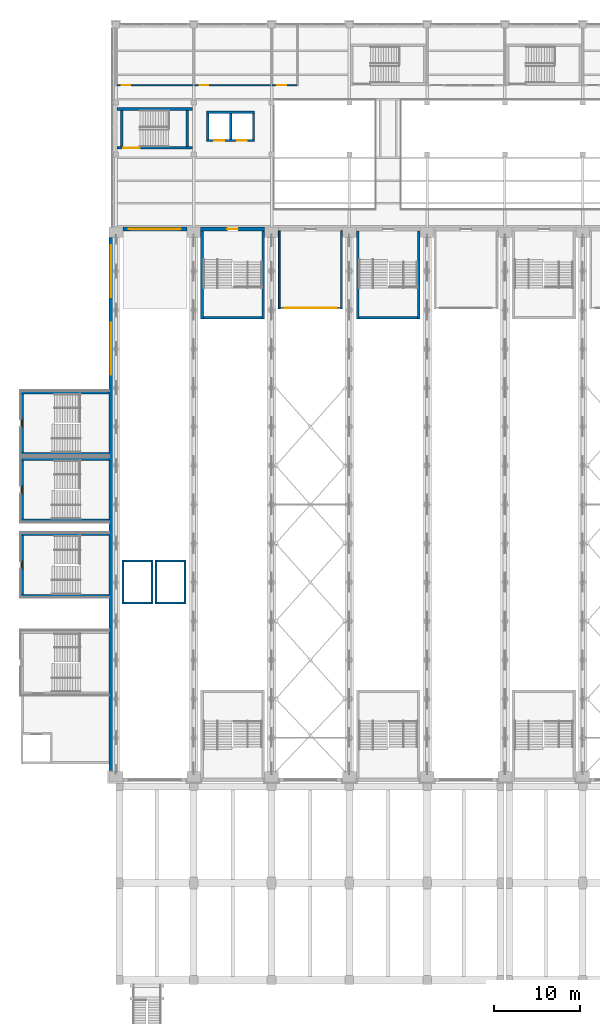
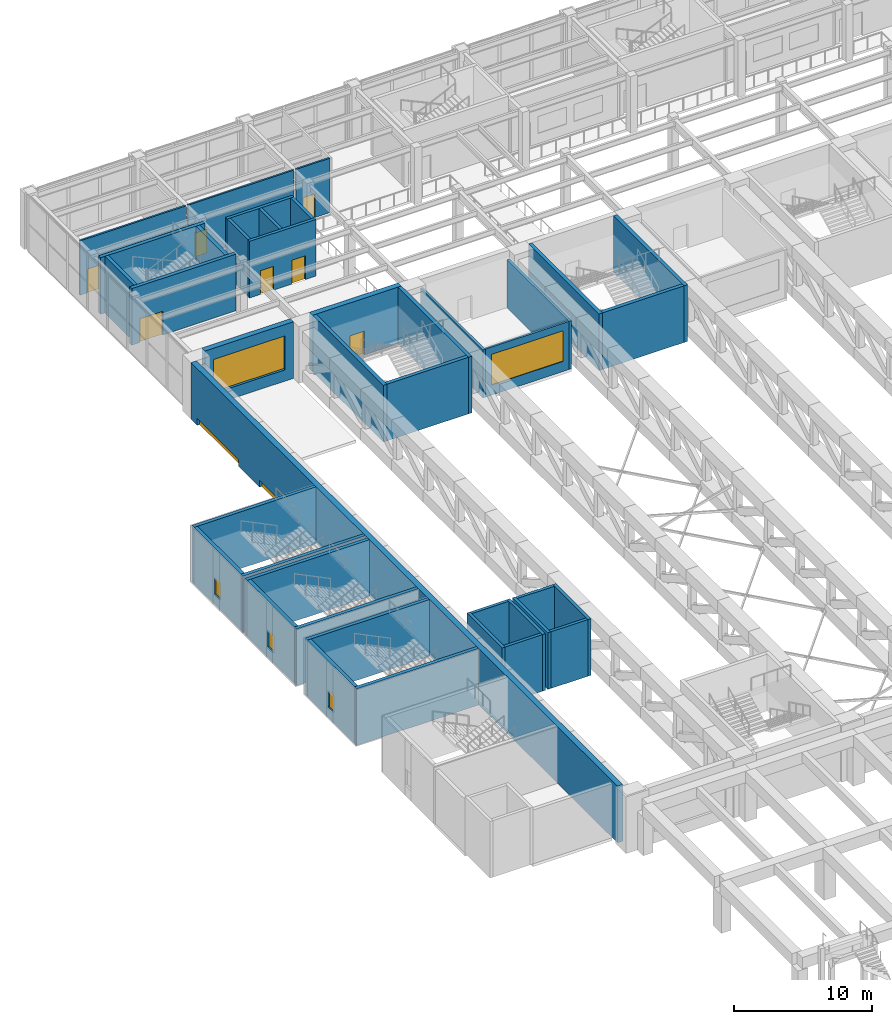
# One storey, part 34 of 76: 41 walls, 7 doors, 7 windows, 14 openings.
"""IFC4 building model written with IfcOpenShell, lengths in metres."""

from ifc_helpers import new_model, si_unit, direction, frame, frame_2d, origin, place, context, subcontext, project, spatial, rectangle, extrude, material, layer, layer_set, type_object, element, fill, save


model = new_model("IFC4")

# Units and contexts
model_context = context("Model", 3, precision=1e-05, world=origin(), true_north=direction((0.0, 1.0)))
body_context = subcontext(model_context, "Body", "Model", "MODEL_VIEW")
ifc_project = project(units=[si_unit("LENGTHUNIT", "METRE"), si_unit("AREAUNIT", "SQUARE_METRE"), si_unit("VOLUMEUNIT", "CUBIC_METRE"), si_unit("PLANEANGLEUNIT", "RADIAN"), si_unit("MASSUNIT", "GRAM", prefix="KILO")], contexts=[model_context])

# Site, building, storey
site_placement = place(None, origin())
site = spatial("IfcSite", under=ifc_project, at=site_placement, CompositionType="ELEMENT")
building_placement = place(site_placement, origin())
building = spatial("IfcBuilding", under=site, at=building_placement, Name="Aravalli Gate Trade Fair Centre", CompositionType="ELEMENT")
storey_placement = place(building_placement, frame((0.0, 0.0, 10.0)))
storey = spatial("IfcBuildingStorey", under=building, at=storey_placement, Name="L02", CompositionType="ELEMENT", Elevation=10.0)

# Walls
ifc_material_1 = material(Name="Concrete M40", Category="concrete")
ifc_layer_1 = layer(ifc_material_1, 0.25)
ifc_layer_set_1 = layer_set([ifc_layer_1], Name="Concrete M40")
wall_type_1 = type_object("IfcWallType", Name="Freight shaft wall RC 250", PredefinedType="SHEAR", material=ifc_layer_set_1)
for number, where, z_axis, x_axis, name in (
    (1, (6.824951171875, 66.0, 0.0), (0.0, 0.0, 1.0), (0.0, 1.0, 0.0), "Freight lift 1 shaft wall W L02"),
    (2, (10.175048828125, 66.0, 0.0), (0.0, 0.0, 1.0), (0.0, 1.0, 0.0), "Freight lift 1 shaft wall E L02"),
):
    element("IfcWall", number, at=place(storey_placement, frame(where, z_axis=z_axis, x_axis=x_axis)), inside=storey, type_object=wall_type_1, Name=name, PredefinedType="SHEAR", context=body_context, shape_type="SweptSolid", body=[
        extrude(rectangle(XDim=5.10009765625, YDim=0.25, at=frame_2d((2.550048828125, 0.0))), origin(), (0.0, 0.0, 1.0), 5.0),
    ])
for number, where, z_axis, x_axis, name in (
    (3, (6.949951171875, 66.125, 0.0), (0.0, 0.0, 1.0), (1.0, 0.0, 0.0), "Freight lift 1 shaft wall F L02"),
    (4, (6.949951171875, 70.97509765625, 0.0), (0.0, 0.0, 1.0), (1.0, 0.0, 0.0), "Freight lift 1 shaft wall B L02"),
):
    element("IfcWall", number, at=place(storey_placement, frame(where, z_axis=z_axis, x_axis=x_axis)), inside=storey, type_object=wall_type_1, Name=name, PredefinedType="SHEAR", context=body_context, shape_type="SweptSolid", body=[
        extrude(rectangle(XDim=3.10009765625, YDim=0.25, at=frame_2d((1.550048828125, 0.0))), origin(), (0.0, 0.0, 1.0), 5.0),
    ])
for number, where, z_axis, x_axis, name in (
    (5, (10.625, 66.0, 0.0), (0.0, 0.0, 1.0), (0.0, 1.0, 0.0), "Freight lift 2 shaft wall W L02"),
    (6, (13.97509765625, 66.0, 0.0), (0.0, 0.0, 1.0), (0.0, 1.0, 0.0), "Freight lift 2 shaft wall E L02"),
):
    element("IfcWall", number, at=place(storey_placement, frame(where, z_axis=z_axis, x_axis=x_axis)), inside=storey, type_object=wall_type_1, Name=name, PredefinedType="SHEAR", context=body_context, shape_type="SweptSolid", body=[
        extrude(rectangle(XDim=5.10009765625, YDim=0.25, at=frame_2d((2.550048828125, 0.0))), origin(), (0.0, 0.0, 1.0), 5.0),
    ])
for number, where, z_axis, x_axis, name in (
    (7, (10.75, 66.125, 0.0), (0.0, 0.0, 1.0), (1.0, 0.0, 0.0), "Freight lift 2 shaft wall F L02"),
    (8, (10.75, 70.97509765625, 0.0), (0.0, 0.0, 1.0), (1.0, 0.0, 0.0), "Freight lift 2 shaft wall B L02"),
):
    element("IfcWall", number, at=place(storey_placement, frame(where, z_axis=z_axis, x_axis=x_axis)), inside=storey, type_object=wall_type_1, Name=name, PredefinedType="SHEAR", context=body_context, shape_type="SweptSolid", body=[
        extrude(rectangle(XDim=3.10009765625, YDim=0.25, at=frame_2d((1.550048828125, 0.0))), origin(), (0.0, 0.0, 1.0), 5.0),
    ])

# Wall, opening, window
ifc_layer_2 = layer(ifc_material_1, 0.25, Name="Structural wall")
ifc_material_2 = material(Name="Ventilated air cavity")
ifc_layer_3 = layer(ifc_material_2, 0.10009765625, ventilated=True, Name="Ventilated cavity")
ifc_material_3 = material(Name="Terracotta rainscreen", Category="masonry")
ifc_layer_4 = layer(ifc_material_3, 0.10009765625, Name="Rainscreen cladding")
ifc_layer_set_2 = layer_set([ifc_layer_2, ifc_layer_3, ifc_layer_4], Name="Hall external wall 450")
wall_type_2 = type_object("IfcWallType", Name="Hall external wall 450", PredefinedType="SOLIDWALL", material=ifc_layer_set_2)
wall_1_placement = place(storey_placement, frame((6.800048828125, 109.375, 0.0), z_axis=(0.0, 0.0, 1.0), x_axis=(1.0, 0.0, 0.0)))
wall_1 = element("IfcWall", 9, at=wall_1_placement, inside=storey, type_object=wall_type_2, Name="Hall north wall bay 1 L02", PredefinedType="SOLIDWALL", context=body_context, shape_type="SweptSolid", body=[
    extrude(rectangle(XDim=7.39990234375, YDim=0.449951171875, at=frame_2d((3.699951171875, 0.0))), origin(), (0.0, 0.0, 1.0), 5.0),
])
opening_1_placement = place(wall_1_placement, frame((0.699951171875, 0.0, 1.0)))
opening_1 = element("IfcOpeningElement", 10, at=opening_1_placement, cuts=wall_1, Name="Opening LV1", PredefinedType="OPENING", context=body_context, shape_type="SweptSolid", body=[
    extrude(rectangle(XDim=6.0, YDim=3.0, at=frame_2d((3.0, 1.5))), frame((0.0, 0.23486328125, 0.0), z_axis=(0.0, -1.0, 0.0), x_axis=(1.0, 0.0, 0.0)), (0.0, 0.0, 1.0), 0.469970703125),
])
ifc_material_4 = material(Name="Aluminium", Category="aluminium")
window_type_1 = type_object("IfcWindowType", Name="Hall louvre 6000x3000", PartitioningType="SINGLE_PANEL", PredefinedType="USERDEFINED", material=ifc_material_4)
window_1_placement = place(opening_1_placement, origin())
window_1 = element("IfcWindow", 11, at=window_1_placement, inside=storey, type_object=window_type_1, Name="Hall north louvre bay 1 L02", ObjectType="LOUVRE", OverallHeight=3.0, OverallWidth=6.0, PartitioningType="SINGLE_PANEL", PredefinedType="USERDEFINED", context=body_context, shape_type="SweptSolid", body=[
    extrude(rectangle(XDim=6.0, YDim=3.0, at=frame_2d((3.0, 1.5))), frame((0.0, 0.030029296875, 0.0), z_axis=(0.0, -1.0, 0.0), x_axis=(1.0, 0.0, 0.0)), (0.0, 0.0, 1.0), 0.06005859375),
])
fill(opening_1, window_1)

# Wall, opening, door
wall_2_placement = place(storey_placement, frame((15.800048828125, 109.375, 0.0), z_axis=(0.0, 0.0, 1.0), x_axis=(1.0, 0.0, 0.0)))
wall_2 = element("IfcWall", 12, at=wall_2_placement, inside=storey, type_object=wall_type_2, Name="Hall north wall bay 2 L02", PredefinedType="SOLIDWALL", context=body_context, shape_type="SweptSolid", body=[
    extrude(rectangle(XDim=7.39990234375, YDim=0.449951171875, at=frame_2d((3.699951171875, 0.0))), origin(), (0.0, 0.0, 1.0), 5.0),
])
opening_2_placement = place(wall_2_placement, frame((3.10009765625, 0.0, 0.0)))
opening_2 = element("IfcOpeningElement", 13, at=opening_2_placement, cuts=wall_2, Name="Opening H-L02-01", PredefinedType="OPENING", context=body_context, shape_type="SweptSolid", body=[
    extrude(rectangle(XDim=1.199951171875, YDim=2.10009765625, at=frame_2d((0.60009765625, 1.050048828125))), frame((0.0, 0.23486328125, 0.0), z_axis=(0.0, -1.0, 0.0), x_axis=(1.0, 0.0, 0.0)), (0.0, 0.0, 1.0), 0.469970703125),
])
ifc_material_5 = material(Name="Steel", Category="steel")
door_type_1 = type_object("IfcDoorType", Name="Hall stair gallery door FD120", OperationType="SINGLE_SWING_LEFT", PredefinedType="DOOR", material=ifc_material_5)
door_1_placement = place(opening_2_placement, origin())
door_1 = element("IfcDoor", 14, at=door_1_placement, inside=storey, type_object=door_type_1, Name="Stair door ST-N02 L02 gallery", OperationType="SINGLE_SWING_RIGHT", OverallHeight=2.10009765625, OverallWidth=1.199951171875, PredefinedType="DOOR", context=body_context, shape_type="SweptSolid", body=[
    extrude(rectangle(XDim=1.199951171875, YDim=2.10009765625, at=frame_2d((0.60009765625, 1.050048828125))), frame((0.0, 0.02490234375, 0.0), z_axis=(0.0, -1.0, 0.0), x_axis=(1.0, 0.0, 0.0)), (0.0, 0.0, 1.0), 0.050048828125),
])
fill(opening_2, door_1)

# Wall, openings, windows
wall_3_placement = place(storey_placement, frame((5.425048828125, 46.75, 0.0), z_axis=(0.0, 0.0, 1.0), x_axis=(0.0, 1.0, 0.0)))
wall_3 = element("IfcWall", 15, at=wall_3_placement, inside=storey, type_object=wall_type_2, Name="Hall west wall L02", PredefinedType="SOLIDWALL", context=body_context, shape_type="SweptSolid", body=[
    extrude(rectangle(XDim=61.64990234375, YDim=0.449951171875, at=frame_2d((30.824951171875, 0.0))), origin(), (0.0, 0.0, 1.0), 5.0),
])
opening_3_placement = place(wall_3_placement, frame((45.75, 0.0, 0.0)))
opening_3 = element("IfcOpeningElement", 16, at=opening_3_placement, cuts=wall_3, Name="Opening LV4", PredefinedType="OPENING", context=body_context, shape_type="SweptSolid", body=[
    extrude(rectangle(XDim=6.0, YDim=0.60009765625, at=frame_2d((3.0, 0.300048828125))), frame((0.0, 0.23486328125, 0.0), z_axis=(0.0, -1.0, 0.0), x_axis=(1.0, 0.0, 0.0)), (0.0, 0.0, 1.0), 0.469970703125),
])
opening_4_placement = place(wall_3_placement, frame((54.75, 0.0, 0.0)))
opening_4 = element("IfcOpeningElement", 17, at=opening_4_placement, cuts=wall_3, Name="Opening LV4", PredefinedType="OPENING", context=body_context, shape_type="SweptSolid", body=[
    extrude(rectangle(XDim=6.0, YDim=0.60009765625, at=frame_2d((3.0, 0.300048828125))), frame((0.0, 0.23486328125, 0.0), z_axis=(0.0, -1.0, 0.0), x_axis=(1.0, 0.0, 0.0)), (0.0, 0.0, 1.0), 0.469970703125),
])
window_type_2 = type_object("IfcWindowType", Name="Hall louvre 6000x600", PartitioningType="SINGLE_PANEL", PredefinedType="USERDEFINED", material=ifc_material_4)
window_2_placement = place(opening_3_placement, origin())
window_2 = element("IfcWindow", 18, at=window_2_placement, inside=storey, type_object=window_type_2, Name="Hall west louvre 4 L02", ObjectType="LOUVRE", OverallHeight=0.60009765625, OverallWidth=6.0, PartitioningType="SINGLE_PANEL", PredefinedType="USERDEFINED", context=body_context, shape_type="SweptSolid", body=[
    extrude(rectangle(XDim=6.0, YDim=0.60009765625, at=frame_2d((3.0, 0.300048828125))), frame((0.0, 0.030029296875, 0.0), z_axis=(0.0, -1.0, 0.0), x_axis=(1.0, 0.0, 0.0)), (0.0, 0.0, 1.0), 0.06005859375),
])
fill(opening_3, window_2)
window_3_placement = place(opening_4_placement, origin())
window_3 = element("IfcWindow", 19, at=window_3_placement, inside=storey, type_object=window_type_2, Name="Hall west louvre 5 L02", ObjectType="LOUVRE", OverallHeight=0.60009765625, OverallWidth=6.0, PartitioningType="SINGLE_PANEL", PredefinedType="USERDEFINED", context=body_context, shape_type="SweptSolid", body=[
    extrude(rectangle(XDim=6.0, YDim=0.60009765625, at=frame_2d((3.0, 0.300048828125))), frame((0.0, 0.030029296875, 0.0), z_axis=(0.0, -1.0, 0.0), x_axis=(1.0, 0.0, 0.0)), (0.0, 0.0, 1.0), 0.06005859375),
])
fill(opening_4, window_3)

# Wall, opening, window
ifc_material_6 = material(Name="Steel E350 (350 MPa)", Category="steel")
ifc_layer_5 = layer(ifc_material_6, 0.14990234375)
ifc_layer_set_3 = layer_set([ifc_layer_5], Name="Steel E350 (350 MPa)")
wall_type_3 = type_object("IfcWallType", Name="Meeting room glazed front wall 150", PredefinedType="PARTITIONING", material=ifc_layer_set_3)
wall_4_placement = place(storey_placement, frame((25.0, 100.22509765625, 0.0), z_axis=(0.0, 0.0, 1.0), x_axis=(1.0, 0.0, 0.0)))
wall_4 = element("IfcWall", 20, at=wall_4_placement, inside=storey, type_object=wall_type_3, Name="Meeting room 7 front wall", PredefinedType="PARTITIONING", context=body_context, shape_type="SweptSolid", body=[
    extrude(rectangle(XDim=7.0, YDim=0.14990234375, at=frame_2d((3.5, 0.0))), origin(), (0.0, 0.0, 1.0), 4.25),
])
opening_5_placement = place(wall_4_placement, frame((0.5, 0.0, 0.89990234375)))
opening_5 = element("IfcOpeningElement", 21, at=opening_5_placement, cuts=wall_4, Name="Opening WM1", PredefinedType="OPENING", context=body_context, shape_type="SweptSolid", body=[
    extrude(rectangle(XDim=6.0, YDim=2.699951171875, at=frame_2d((3.0, 1.35009765625))), frame((0.0, 0.0849609375, 0.0), z_axis=(0.0, -1.0, 0.0), x_axis=(1.0, 0.0, 0.0)), (0.0, 0.0, 1.0), 0.169921875),
])
ifc_material_7 = material(Name="Glass in steel frame", Category="steel")
window_type_3 = type_object("IfcWindowType", Name="Meeting room window 6000x2700", PartitioningType="TRIPLE_PANEL_VERTICAL", PredefinedType="WINDOW", material=ifc_material_7)
window_4_placement = place(opening_5_placement, origin())
window_4 = element("IfcWindow", 22, at=window_4_placement, inside=storey, type_object=window_type_3, Name="Meeting room 7 window", OverallHeight=2.699951171875, OverallWidth=6.0, PartitioningType="TRIPLE_PANEL_VERTICAL", PredefinedType="WINDOW", context=body_context, shape_type="SweptSolid", body=[
    extrude(rectangle(XDim=6.0, YDim=2.699951171875, at=frame_2d((3.0, 1.35009765625))), frame((0.0, 0.030029296875, 0.0), z_axis=(0.0, -1.0, 0.0), x_axis=(1.0, 0.0, 0.0)), (0.0, 0.0, 1.0), 0.06005859375),
])
fill(opening_5, window_4)

# Walls
ifc_layer_6 = layer(ifc_material_1, 0.199951171875)
ifc_layer_set_4 = layer_set([ifc_layer_6], Name="Concrete M40")
wall_type_4 = type_object("IfcWallType", Name="Meeting room side wall RC 200", PredefinedType="SHEAR", material=ifc_layer_set_4)
for number, where, z_axis, x_axis, name in (
    (23, (24.89990234375, 100.14990234375, 0.0), (0.0, 0.0, 1.0), (0.0, 1.0, 0.0), "Meeting room 7 side wall W"),
    (24, (32.10009765625, 100.14990234375, 0.0), (0.0, 0.0, 1.0), (0.0, 1.0, 0.0), "Meeting room 7 side wall E"),
):
    element("IfcWall", number, at=place(storey_placement, frame(where, z_axis=z_axis, x_axis=x_axis)), inside=storey, type_object=wall_type_4, Name=name, PredefinedType="SHEAR", context=body_context, shape_type="SweptSolid", body=[
        extrude(rectangle(XDim=9.0, YDim=0.199951171875, at=frame_2d((4.5, 0.0))), origin(), (0.0, 0.0, 1.0), 4.25),
    ])

# Wall, opening, door
ifc_material_8 = material(Name="Gypsum board")
ifc_layer_7 = layer(ifc_material_8, 0.02490234375, Name="Gypsum board lining")
ifc_material_9 = material(Name="Galvanised stud framing")
ifc_layer_8 = layer(ifc_material_9, 0.10009765625, Name="Stud framing")
ifc_layer_9 = layer(ifc_material_8, 0.02490234375, Name="Gypsum board lining")
ifc_layer_set_5 = layer_set([ifc_layer_7, ifc_layer_8, ifc_layer_9], Name="Partition wall 150")
wall_type_5 = type_object("IfcWallType", Name="Partition wall 150", PredefinedType="PARTITIONING", material=ifc_layer_set_5)
wall_5_placement = place(storey_placement, frame((6.074951171875, 126.0, 0.0), z_axis=(0.0, 0.0, 1.0), x_axis=(1.0, 0.0, 0.0)))
wall_5 = element("IfcWall", 25, at=wall_5_placement, inside=storey, type_object=wall_type_5, Name="Partition Gents WC south L02", PredefinedType="PARTITIONING", context=body_context, shape_type="SweptSolid", body=[
    extrude(rectangle(XDim=8.85009765625, YDim=0.14990234375, at=frame_2d((4.425048828125, 0.0))), origin(), (0.0, 0.0, 1.0), 4.800048828125),
])
opening_6_placement = place(wall_5_placement, frame((0.60009765625, 0.0, 0.0)))
opening_6 = element("IfcOpeningElement", 26, at=opening_6_placement, cuts=wall_5, Name="Opening C-L02-12", PredefinedType="OPENING", context=body_context, shape_type="SweptSolid", body=[
    extrude(rectangle(XDim=1.0, YDim=2.10009765625, at=frame_2d((0.5, 1.050048828125))), frame((0.0, 0.0849609375, 0.0), z_axis=(0.0, -1.0, 0.0), x_axis=(1.0, 0.0, 0.0)), (0.0, 0.0, 1.0), 0.169921875),
])
ifc_material_10 = material(Name="Steel, fire rated", Category="steel")
door_type_2 = type_object("IfcDoorType", Name="Room door 1000 x 2100", OperationType="SINGLE_SWING_RIGHT", PredefinedType="NOTDEFINED", material=ifc_material_10)
door_2_placement = place(opening_6_placement, frame((1.0, 0.0, 0.0), z_axis=(0.0, 0.0, 1.0), x_axis=(-1.0, 0.0, 0.0)))
door_2 = element("IfcDoor", 27, at=door_2_placement, inside=storey, type_object=door_type_2, Name="Door Gents WC L02", OperationType="SINGLE_SWING_LEFT", OverallHeight=2.10009765625, OverallWidth=1.0, PredefinedType="NOTDEFINED", context=body_context, shape_type="SweptSolid", body=[
    extrude(rectangle(XDim=1.0, YDim=2.10009765625, at=frame_2d((0.5, 1.050048828125))), frame((0.0, 0.02490234375, 0.0), z_axis=(0.0, -1.0, 0.0), x_axis=(1.0, 0.0, 0.0)), (0.0, 0.0, 1.0), 0.050048828125),
])
fill(opening_6, door_2)

wall_6_placement = place(storey_placement, frame((15.074951171875, 126.0, 0.0), z_axis=(0.0, 0.0, 1.0), x_axis=(1.0, 0.0, 0.0)))
wall_6 = element("IfcWall", 28, at=wall_6_placement, inside=storey, type_object=wall_type_5, Name="Partition Ladies WC south L02", PredefinedType="PARTITIONING", context=body_context, shape_type="SweptSolid", body=[
    extrude(rectangle(XDim=8.85009765625, YDim=0.14990234375, at=frame_2d((4.425048828125, 0.0))), origin(), (0.0, 0.0, 1.0), 4.800048828125),
])
opening_7_placement = place(wall_6_placement, frame((0.60009765625, 0.0, 0.0)))
opening_7 = element("IfcOpeningElement", 29, at=opening_7_placement, cuts=wall_6, Name="Opening C-L02-13", PredefinedType="OPENING", context=body_context, shape_type="SweptSolid", body=[
    extrude(rectangle(XDim=1.0, YDim=2.10009765625, at=frame_2d((0.5, 1.050048828125))), frame((0.0, 0.0849609375, 0.0), z_axis=(0.0, -1.0, 0.0), x_axis=(1.0, 0.0, 0.0)), (0.0, 0.0, 1.0), 0.169921875),
])
door_3_placement = place(opening_7_placement, frame((1.0, 0.0, 0.0), z_axis=(0.0, 0.0, 1.0), x_axis=(-1.0, 0.0, 0.0)))
door_3 = element("IfcDoor", 30, at=door_3_placement, inside=storey, type_object=door_type_2, Name="Door Ladies WC L02", OperationType="SINGLE_SWING_RIGHT", OverallHeight=2.10009765625, OverallWidth=1.0, PredefinedType="NOTDEFINED", context=body_context, shape_type="SweptSolid", body=[
    extrude(rectangle(XDim=1.0, YDim=2.10009765625, at=frame_2d((0.5, 1.050048828125))), frame((0.0, 0.02490234375, 0.0), z_axis=(0.0, -1.0, 0.0), x_axis=(1.0, 0.0, 0.0)), (0.0, 0.0, 1.0), 0.050048828125),
])
fill(opening_7, door_3)

wall_7_placement = place(storey_placement, frame((24.074951171875, 126.0, 0.0), z_axis=(0.0, 0.0, 1.0), x_axis=(1.0, 0.0, 0.0)))
wall_7 = element("IfcWall", 31, at=wall_7_placement, inside=storey, type_object=wall_type_5, Name="Partition Accessible WC south L02", PredefinedType="PARTITIONING", context=body_context, shape_type="SweptSolid", body=[
    extrude(rectangle(XDim=2.85009765625, YDim=0.14990234375, at=frame_2d((1.425048828125, 0.0))), origin(), (0.0, 0.0, 1.0), 4.800048828125),
])
opening_8_placement = place(wall_7_placement, frame((0.60009765625, 0.0, 0.0)))
opening_8 = element("IfcOpeningElement", 32, at=opening_8_placement, cuts=wall_7, Name="Opening C-L02-14", PredefinedType="OPENING", context=body_context, shape_type="SweptSolid", body=[
    extrude(rectangle(XDim=1.0, YDim=2.10009765625, at=frame_2d((0.5, 1.050048828125))), frame((0.0, 0.0849609375, 0.0), z_axis=(0.0, -1.0, 0.0), x_axis=(1.0, 0.0, 0.0)), (0.0, 0.0, 1.0), 0.169921875),
])
door_4_placement = place(opening_8_placement, origin())
door_4 = element("IfcDoor", 33, at=door_4_placement, inside=storey, type_object=door_type_2, Name="Door Accessible WC L02", OperationType="SINGLE_SWING_LEFT", OverallHeight=2.10009765625, OverallWidth=1.0, PredefinedType="NOTDEFINED", context=body_context, shape_type="SweptSolid", body=[
    extrude(rectangle(XDim=1.0, YDim=2.10009765625, at=frame_2d((0.5, 1.050048828125))), frame((0.0, 0.02490234375, 0.0), z_axis=(0.0, -1.0, 0.0), x_axis=(1.0, 0.0, 0.0)), (0.0, 0.0, 1.0), 0.050048828125),
])
fill(opening_8, door_4)

# Wall, openings, doors
ifc_layer_10 = layer(ifc_material_1, 0.25)
ifc_layer_set_6 = layer_set([ifc_layer_10], Name="Concrete M40")
wall_type_6 = type_object("IfcWallType", Name="RC core wall 250", PredefinedType="SHEAR", material=ifc_layer_set_6)
wall_8_placement = place(storey_placement, frame((16.5, 119.625, 0.0), z_axis=(0.0, 0.0, 1.0), x_axis=(1.0, 0.0, 0.0)))
wall_8 = element("IfcWall", 34, at=wall_8_placement, inside=storey, type_object=wall_type_6, Name="Core wall WLS L02", PredefinedType="SHEAR", context=body_context, shape_type="SweptSolid", body=[
    extrude(rectangle(XDim=5.550048828125, YDim=0.25, at=frame_2d((2.77490234375, 0.0))), origin(), (0.0, 0.0, 1.0), 5.0),
])
opening_9_placement = place(wall_8_placement, frame((0.89990234375, 0.0, 0.0)))
opening_9 = element("IfcOpeningElement", 35, at=opening_9_placement, cuts=wall_8, Name="Opening C-L02-02", PredefinedType="OPENING", context=body_context, shape_type="SweptSolid", body=[
    extrude(rectangle(XDim=1.10009765625, YDim=2.10009765625, at=frame_2d((0.550048828125, 1.050048828125))), frame((0.0, 0.135009765625, 0.0), z_axis=(0.0, -1.0, 0.0), x_axis=(1.0, 0.0, 0.0)), (0.0, 0.0, 1.0), 0.27001953125),
])
opening_10_placement = place(wall_8_placement, frame((3.550048828125, 0.0, 0.0)))
opening_10 = element("IfcOpeningElement", 36, at=opening_10_placement, cuts=wall_8, Name="Opening C-L02-03", PredefinedType="OPENING", context=body_context, shape_type="SweptSolid", body=[
    extrude(rectangle(XDim=1.10009765625, YDim=2.10009765625, at=frame_2d((0.550048828125, 1.050048828125))), frame((0.0, 0.135009765625, 0.0), z_axis=(0.0, -1.0, 0.0), x_axis=(1.0, 0.0, 0.0)), (0.0, 0.0, 1.0), 0.27001953125),
])
door_type_3 = type_object("IfcDoorType", Name="Concourse lift landing door 1100 x 2100", OperationType="DOUBLE_DOOR_SLIDING", PredefinedType="NOTDEFINED", material=ifc_material_10)
door_5_placement = place(opening_9_placement, origin())
door_5 = element("IfcDoor", 37, at=door_5_placement, inside=storey, type_object=door_type_3, Name="Lift landing door WL1 L02", OperationType="DOUBLE_DOOR_SLIDING", OverallHeight=2.10009765625, OverallWidth=1.10009765625, PredefinedType="NOTDEFINED", context=body_context, shape_type="SweptSolid", body=[
    extrude(rectangle(XDim=1.10009765625, YDim=2.10009765625, at=frame_2d((0.550048828125, 1.050048828125))), frame((0.0, 0.02490234375, 0.0), z_axis=(0.0, -1.0, 0.0), x_axis=(1.0, 0.0, 0.0)), (0.0, 0.0, 1.0), 0.050048828125),
])
fill(opening_9, door_5)
door_6_placement = place(opening_10_placement, origin())
door_6 = element("IfcDoor", 38, at=door_6_placement, inside=storey, type_object=door_type_3, Name="Lift landing door WL2 L02", OperationType="DOUBLE_DOOR_SLIDING", OverallHeight=2.10009765625, OverallWidth=1.10009765625, PredefinedType="NOTDEFINED", context=body_context, shape_type="SweptSolid", body=[
    extrude(rectangle(XDim=1.10009765625, YDim=2.10009765625, at=frame_2d((0.550048828125, 1.050048828125))), frame((0.0, 0.02490234375, 0.0), z_axis=(0.0, -1.0, 0.0), x_axis=(1.0, 0.0, 0.0)), (0.0, 0.0, 1.0), 0.050048828125),
])
fill(opening_10, door_6)

# Walls
wall_9_placement = place(storey_placement, frame((16.5, 122.875, 0.0), z_axis=(0.0, 0.0, 1.0), x_axis=(1.0, 0.0, 0.0)))
element("IfcWall", 39, at=wall_9_placement, inside=storey, type_object=wall_type_6, Name="Core wall WLN L02", PredefinedType="SHEAR", context=body_context, shape_type="SweptSolid", body=[
    extrude(rectangle(XDim=5.550048828125, YDim=0.25, at=frame_2d((2.77490234375, 0.0))), origin(), (0.0, 0.0, 1.0), 5.0),
])
for number, where, z_axis, x_axis, name in (
    (40, (16.625, 119.75, 0.0), (0.0, 0.0, 1.0), (0.0, 1.0, 0.0), "Core wall WLW L02"),
    (41, (21.925048828125, 119.75, 0.0), (0.0, 0.0, 1.0), (0.0, 1.0, 0.0), "Core wall WLE L02"),
    (42, (19.27490234375, 119.75, 0.0), (0.0, 0.0, 1.0), (0.0, 1.0, 0.0), "Core wall WLM L02"),
):
    element("IfcWall", number, at=place(storey_placement, frame(where, z_axis=z_axis, x_axis=x_axis)), inside=storey, type_object=wall_type_6, Name=name, PredefinedType="SHEAR", context=body_context, shape_type="SweptSolid", body=[
        extrude(rectangle(XDim=3.0, YDim=0.25, at=frame_2d((1.5, 0.0))), origin(), (0.0, 0.0, 1.0), 5.0),
    ])

# Wall, opening, door
ifc_layer_11 = layer(ifc_material_1, 0.300048828125)
ifc_layer_set_7 = layer_set([ifc_layer_11], Name="Concrete M40")
wall_type_7 = type_object("IfcWallType", Name="RC core wall 300", PredefinedType="SHEAR", material=ifc_layer_set_7)
wall_10_placement = place(storey_placement, frame((6.14990234375, 118.75, 0.0), z_axis=(0.0, 0.0, 1.0), x_axis=(1.0, 0.0, 0.0)))
wall_10 = element("IfcWall", 43, at=wall_10_placement, inside=storey, type_object=wall_type_7, Name="Core wall WSS L02", PredefinedType="SHEAR", context=body_context, shape_type="SweptSolid", body=[
    extrude(rectangle(XDim=8.7001953125, YDim=0.300048828125, at=frame_2d((4.35009765625, 0.0))), origin(), (0.0, 0.0, 1.0), 5.0),
])
opening_11_placement = place(wall_10_placement, frame((0.699951171875, 0.0, 0.0)))
opening_11 = element("IfcOpeningElement", 44, at=opening_11_placement, cuts=wall_10, Name="Opening C-L02-01", PredefinedType="OPENING", context=body_context, shape_type="SweptSolid", body=[
    extrude(rectangle(XDim=1.89990234375, YDim=2.10009765625, at=frame_2d((0.949951171875, 1.050048828125))), frame((0.0, 0.159912109375, 0.0), z_axis=(0.0, -1.0, 0.0), x_axis=(1.0, 0.0, 0.0)), (0.0, 0.0, 1.0), 0.320068359375),
])
door_type_4 = type_object("IfcDoorType", Name="Concourse stair door 1900 x 2100", OperationType="DOUBLE_DOOR_SINGLE_SWING", PredefinedType="NOTDEFINED", material=ifc_material_10)
door_7_placement = place(opening_11_placement, frame((1.89990234375, 0.0, 0.0), z_axis=(0.0, 0.0, 1.0), x_axis=(-1.0, 0.0, 0.0)))
door_7 = element("IfcDoor", 45, at=door_7_placement, inside=storey, type_object=door_type_4, Name="Stair door WS L02", OperationType="DOUBLE_DOOR_SINGLE_SWING", OverallHeight=2.10009765625, OverallWidth=1.89990234375, PredefinedType="NOTDEFINED", context=body_context, shape_type="SweptSolid", body=[
    extrude(rectangle(XDim=1.89990234375, YDim=2.10009765625, at=frame_2d((0.949951171875, 1.050048828125))), frame((0.0, 0.02490234375, 0.0), z_axis=(0.0, -1.0, 0.0), x_axis=(1.0, 0.0, 0.0)), (0.0, 0.0, 1.0), 0.050048828125),
])
fill(opening_11, door_7)

# Walls
wall_11_placement = place(storey_placement, frame((6.14990234375, 123.25, 0.0), z_axis=(0.0, 0.0, 1.0), x_axis=(1.0, 0.0, 0.0)))
element("IfcWall", 46, at=wall_11_placement, inside=storey, type_object=wall_type_7, Name="Core wall WSN L02", PredefinedType="SHEAR", context=body_context, shape_type="SweptSolid", body=[
    extrude(rectangle(XDim=8.7001953125, YDim=0.300048828125, at=frame_2d((4.35009765625, 0.0))), origin(), (0.0, 0.0, 1.0), 5.0),
])
for number, where, z_axis, x_axis, name in (
    (47, (6.64990234375, 118.89990234375, 0.0), (0.0, 0.0, 1.0), (0.0, 1.0, 0.0), "Core wall WSW L02"),
    (48, (14.25, 118.89990234375, 0.0), (0.0, 0.0, 1.0), (0.0, 1.0, 0.0), "Core wall WSE L02"),
):
    element("IfcWall", number, at=place(storey_placement, frame(where, z_axis=z_axis, x_axis=x_axis)), inside=storey, type_object=wall_type_7, Name=name, PredefinedType="SHEAR", context=body_context, shape_type="SweptSolid", body=[
        extrude(rectangle(XDim=4.2001953125, YDim=0.300048828125, at=frame_2d((2.10009765625, 0.0))), origin(), (0.0, 0.0, 1.0), 5.0),
    ])
ifc_layer_12 = layer(ifc_material_1, 0.300048828125)
ifc_layer_set_8 = layer_set([ifc_layer_12], Name="Concrete M40")
wall_type_8 = type_object("IfcWallType", Name="Stair tower wall RC 300", PredefinedType="SHEAR", material=ifc_layer_set_8)
for number, where, z_axis, x_axis, name in (
    (49, (15.949951171875, 109.14990234375, 0.0), (0.0, 0.0, 1.0), (0.0, -1.0, 0.0), "Stair tower N02 wall W L02"),
    (50, (23.050048828125, 109.14990234375, 0.0), (0.0, 0.0, 1.0), (0.0, -1.0, 0.0), "Stair tower N02 wall E L02"),
):
    element("IfcWall", number, at=place(storey_placement, frame(where, z_axis=z_axis, x_axis=x_axis)), inside=storey, type_object=wall_type_8, Name=name, PredefinedType="SHEAR", context=body_context, shape_type="SweptSolid", body=[
        extrude(rectangle(XDim=10.199951171875, YDim=0.300048828125, at=frame_2d((5.10009765625, 0.0))), origin(), (0.0, 0.0, 1.0), 5.0),
    ])
wall_12_placement = place(storey_placement, frame((16.10009765625, 99.10009765625, 0.0), z_axis=(0.0, 0.0, 1.0), x_axis=(1.0, 0.0, 0.0)))
element("IfcWall", 51, at=wall_12_placement, inside=storey, type_object=wall_type_8, Name="Stair tower N02 wall F L02", PredefinedType="SHEAR", context=body_context, shape_type="SweptSolid", body=[
    extrude(rectangle(XDim=6.7998046875, YDim=0.300048828125, at=frame_2d((3.39990234375, 0.0))), origin(), (0.0, 0.0, 1.0), 5.0),
])
for number, where, z_axis, x_axis, name in (
    (52, (33.949951171875, 109.14990234375, 0.0), (0.0, 0.0, 1.0), (0.0, -1.0, 0.0), "Stair tower N04 wall W L02"),
    (53, (41.050048828125, 109.14990234375, 0.0), (0.0, 0.0, 1.0), (0.0, -1.0, 0.0), "Stair tower N04 wall E L02"),
):
    element("IfcWall", number, at=place(storey_placement, frame(where, z_axis=z_axis, x_axis=x_axis)), inside=storey, type_object=wall_type_8, Name=name, PredefinedType="SHEAR", context=body_context, shape_type="SweptSolid", body=[
        extrude(rectangle(XDim=10.199951171875, YDim=0.300048828125, at=frame_2d((5.10009765625, 0.0))), origin(), (0.0, 0.0, 1.0), 5.0),
    ])
wall_13_placement = place(storey_placement, frame((34.10009765625, 99.10009765625, 0.0), z_axis=(0.0, 0.0, 1.0), x_axis=(1.0, 0.0, 0.0)))
element("IfcWall", 54, at=wall_13_placement, inside=storey, type_object=wall_type_8, Name="Stair tower N04 wall F L02", PredefinedType="SHEAR", context=body_context, shape_type="SweptSolid", body=[
    extrude(rectangle(XDim=6.7998046875, YDim=0.300048828125, at=frame_2d((3.39990234375, 0.0))), origin(), (0.0, 0.0, 1.0), 5.0),
])
for number, where, z_axis, x_axis, name in (
    (55, (5.199951171875, 75.64990234375, 0.0), (0.0, 0.0, 1.0), (-1.0, 0.0, 0.0), "Stair tower W2 wall W L02"),
    (56, (5.199951171875, 82.75, 0.0), (0.0, 0.0, 1.0), (-1.0, 0.0, 0.0), "Stair tower W2 wall E L02"),
):
    element("IfcWall", number, at=place(storey_placement, frame(where, z_axis=z_axis, x_axis=x_axis)), inside=storey, type_object=wall_type_8, Name=name, PredefinedType="SHEAR", context=body_context, shape_type="SweptSolid", body=[
        extrude(rectangle(XDim=10.199951171875, YDim=0.300048828125, at=frame_2d((5.10009765625, 0.0))), origin(), (0.0, 0.0, 1.0), 5.0),
    ])

# Wall, opening, window
wall_14_placement = place(storey_placement, frame((-4.85009765625, 75.800048828125, 0.0), z_axis=(0.0, 0.0, 1.0), x_axis=(0.0, 1.0, 0.0)))
wall_14 = element("IfcWall", 57, at=wall_14_placement, inside=storey, type_object=wall_type_8, Name="Stair tower W2 wall F L02", PredefinedType="SHEAR", context=body_context, shape_type="SweptSolid", body=[
    extrude(rectangle(XDim=6.800048828125, YDim=0.300048828125, at=frame_2d((3.39990234375, 0.0))), origin(), (0.0, 0.0, 1.0), 5.0),
])
opening_12_placement = place(wall_14_placement, frame((2.949951171875, 0.0, 0.89990234375)))
opening_12 = element("IfcOpeningElement", 58, at=opening_12_placement, cuts=wall_14, Name="Opening LW1", PredefinedType="OPENING", context=body_context, shape_type="SweptSolid", body=[
    extrude(rectangle(XDim=0.89990234375, YDim=1.5, at=frame_2d((0.449951171875, 0.75))), frame((0.0, 0.159912109375, 0.0), z_axis=(0.0, -1.0, 0.0), x_axis=(1.0, 0.0, 0.0)), (0.0, 0.0, 1.0), 0.320068359375),
])
ifc_material_11 = material(Name="Fire-resistant glazing", Category="glass")
window_type_4 = type_object("IfcWindowType", Name="Stair landing window FRG 900x1500", PartitioningType="SINGLE_PANEL", PredefinedType="WINDOW", material=ifc_material_11)
window_5_placement = place(opening_12_placement, origin())
window_5 = element("IfcWindow", 59, at=window_5_placement, inside=storey, type_object=window_type_4, Name="Stair landing window W2 L02", OverallHeight=1.5, OverallWidth=0.89990234375, PartitioningType="SINGLE_PANEL", PredefinedType="WINDOW", context=body_context, shape_type="SweptSolid", body=[
    extrude(rectangle(XDim=0.89990234375, YDim=1.5, at=frame_2d((0.449951171875, 0.75))), frame((0.0, 0.030029296875, 0.0), z_axis=(0.0, -1.0, 0.0), x_axis=(1.0, 0.0, 0.0)), (0.0, 0.0, 1.0), 0.06005859375),
])
fill(opening_12, window_5)

# Walls
for number, where, z_axis, x_axis, name in (
    (60, (5.199951171875, 66.949951171875, 0.0), (0.0, 0.0, 1.0), (-1.0, 0.0, 0.0), "Stair tower W4 wall W L02"),
    (61, (5.199951171875, 74.050048828125, 0.0), (0.0, 0.0, 1.0), (-1.0, 0.0, 0.0), "Stair tower W4 wall E L02"),
):
    element("IfcWall", number, at=place(storey_placement, frame(where, z_axis=z_axis, x_axis=x_axis)), inside=storey, type_object=wall_type_8, Name=name, PredefinedType="SHEAR", context=body_context, shape_type="SweptSolid", body=[
        extrude(rectangle(XDim=10.199951171875, YDim=0.300048828125, at=frame_2d((5.10009765625, 0.0))), origin(), (0.0, 0.0, 1.0), 5.0),
    ])

# Wall, opening, window
wall_15_placement = place(storey_placement, frame((-4.85009765625, 67.10009765625, 0.0), z_axis=(0.0, 0.0, 1.0), x_axis=(0.0, 1.0, 0.0)))
wall_15 = element("IfcWall", 62, at=wall_15_placement, inside=storey, type_object=wall_type_8, Name="Stair tower W4 wall F L02", PredefinedType="SHEAR", context=body_context, shape_type="SweptSolid", body=[
    extrude(rectangle(XDim=6.7998046875, YDim=0.300048828125, at=frame_2d((3.39990234375, 0.0))), origin(), (0.0, 0.0, 1.0), 5.0),
])
opening_13_placement = place(wall_15_placement, frame((2.949951171875, 0.0, 0.89990234375)))
opening_13 = element("IfcOpeningElement", 63, at=opening_13_placement, cuts=wall_15, Name="Opening LW1", PredefinedType="OPENING", context=body_context, shape_type="SweptSolid", body=[
    extrude(rectangle(XDim=0.89990234375, YDim=1.5, at=frame_2d((0.449951171875, 0.75))), frame((0.0, 0.159912109375, 0.0), z_axis=(0.0, -1.0, 0.0), x_axis=(1.0, 0.0, 0.0)), (0.0, 0.0, 1.0), 0.320068359375),
])
window_6_placement = place(opening_13_placement, origin())
window_6 = element("IfcWindow", 64, at=window_6_placement, inside=storey, type_object=window_type_4, Name="Stair landing window W4 L02", OverallHeight=1.5, OverallWidth=0.89990234375, PartitioningType="SINGLE_PANEL", PredefinedType="WINDOW", context=body_context, shape_type="SweptSolid", body=[
    extrude(rectangle(XDim=0.89990234375, YDim=1.5, at=frame_2d((0.449951171875, 0.75))), frame((0.0, 0.030029296875, 0.0), z_axis=(0.0, -1.0, 0.0), x_axis=(1.0, 0.0, 0.0)), (0.0, 0.0, 1.0), 0.06005859375),
])
fill(opening_13, window_6)

# Walls
for number, where, z_axis, x_axis, name in (
    (65, (5.199951171875, 83.35009765625, 0.0), (0.0, 0.0, 1.0), (-1.0, 0.0, 0.0), "Stair tower W5 wall W L02"),
    (66, (5.199951171875, 90.449951171875, 0.0), (0.0, 0.0, 1.0), (-1.0, 0.0, 0.0), "Stair tower W5 wall E L02"),
):
    element("IfcWall", number, at=place(storey_placement, frame(where, z_axis=z_axis, x_axis=x_axis)), inside=storey, type_object=wall_type_8, Name=name, PredefinedType="SHEAR", context=body_context, shape_type="SweptSolid", body=[
        extrude(rectangle(XDim=10.199951171875, YDim=0.300048828125, at=frame_2d((5.10009765625, 0.0))), origin(), (0.0, 0.0, 1.0), 5.0),
    ])

# Wall, opening, window
wall_16_placement = place(storey_placement, frame((-4.85009765625, 83.5, 0.0), z_axis=(0.0, 0.0, 1.0), x_axis=(0.0, 1.0, 0.0)))
wall_16 = element("IfcWall", 67, at=wall_16_placement, inside=storey, type_object=wall_type_8, Name="Stair tower W5 wall F L02", PredefinedType="SHEAR", context=body_context, shape_type="SweptSolid", body=[
    extrude(rectangle(XDim=6.800048828125, YDim=0.300048828125, at=frame_2d((3.39990234375, 0.0))), origin(), (0.0, 0.0, 1.0), 5.0),
])
opening_14_placement = place(wall_16_placement, frame((2.949951171875, 0.0, 0.89990234375)))
opening_14 = element("IfcOpeningElement", 68, at=opening_14_placement, cuts=wall_16, Name="Opening LW1", PredefinedType="OPENING", context=body_context, shape_type="SweptSolid", body=[
    extrude(rectangle(XDim=0.89990234375, YDim=1.5, at=frame_2d((0.449951171875, 0.75))), frame((0.0, 0.159912109375, 0.0), z_axis=(0.0, -1.0, 0.0), x_axis=(1.0, 0.0, 0.0)), (0.0, 0.0, 1.0), 0.320068359375),
])
window_7_placement = place(opening_14_placement, origin())
window_7 = element("IfcWindow", 69, at=window_7_placement, inside=storey, type_object=window_type_4, Name="Stair landing window W5 L02", OverallHeight=1.5, OverallWidth=0.89990234375, PartitioningType="SINGLE_PANEL", PredefinedType="WINDOW", context=body_context, shape_type="SweptSolid", body=[
    extrude(rectangle(XDim=0.89990234375, YDim=1.5, at=frame_2d((0.449951171875, 0.75))), frame((0.0, 0.030029296875, 0.0), z_axis=(0.0, -1.0, 0.0), x_axis=(1.0, 0.0, 0.0)), (0.0, 0.0, 1.0), 0.06005859375),
])
fill(opening_14, window_7)

save(model, "model.ifc")
